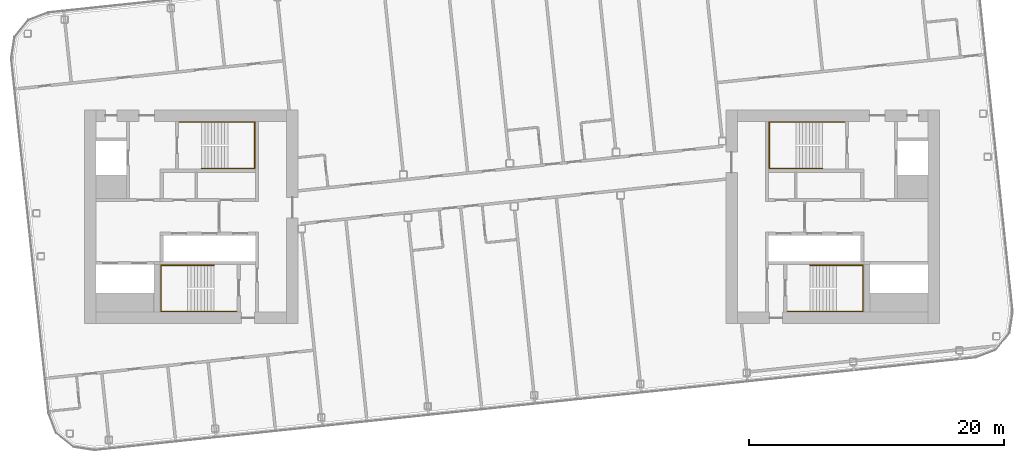
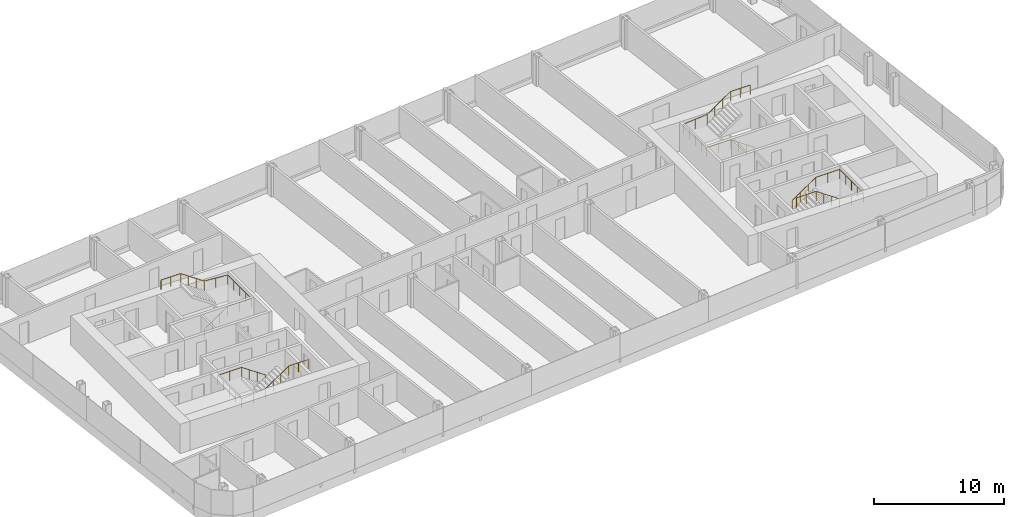
# One storey, part 27 of 27: 4 railings.
"""IFC4 building model written with IfcOpenShell, lengths in metres."""

from ifc_helpers import new_model, si_unit, direction, frame, origin, origin_2d, place, context, subcontext, project, spatial, circle, extrude, material, type_object, element, save


model = new_model("IFC4")

# Units and contexts
model_context = context("Model", 3, precision=1e-05, world=origin(), true_north=direction((0.0, 1.0)))
body_context = subcontext(model_context, "Body", "Model", "MODEL_VIEW")
ifc_project = project(units=[si_unit("LENGTHUNIT", "METRE"), si_unit("AREAUNIT", "SQUARE_METRE"), si_unit("VOLUMEUNIT", "CUBIC_METRE"), si_unit("PLANEANGLEUNIT", "RADIAN"), si_unit("MASSUNIT", "GRAM", prefix="KILO")], contexts=[model_context])

# Site, building, storey
site_placement = place(None, origin())
site = spatial("IfcSite", under=ifc_project, at=site_placement, CompositionType="ELEMENT")
building_placement = place(site_placement, origin())
building = spatial("IfcBuilding", under=site, at=building_placement, Name="Hakoniwa Tower and Hamabe Station Hall", CompositionType="ELEMENT")
storey_placement = place(building_placement, frame((0.0, 0.0, 255.0)))
storey = spatial("IfcBuildingStorey", under=building, at=storey_placement, Name="L72", CompositionType="ELEMENT", Elevation=255.0)

# Railings
ifc_material = material(Name="Stainless steel SUS304", Category="steel")
railing_type = type_object("IfcRailingType", Name="STAIR HANDRAIL 900", PredefinedType="HANDRAIL", material=ifc_material)
railing_1_placement = place(storey_placement, frame((-24.39990234375, 3.81005859375, 0.177734375)))
element("IfcRailing", 1, at=railing_1_placement, inside=storey, type_object=railing_type, Name="Handrail ST-1 L72 1", PredefinedType="HANDRAIL", context=body_context, shape_type="SweptSolid", body=[
    extrude(circle(Radius=0.02392578125, at=origin_2d()), frame((0.0, 0.0, 0.8759765625), z_axis=(0.825433201882, 0.0, 0.564499804456), x_axis=(0.0, 1.0, 0.0)), (0.0, 0.0, 1.0), 2.519775390625),
    extrude(circle(Radius=0.02392578125, at=origin_2d()), frame((2.079833984375, 0.0, 2.29833984375), z_axis=(1.0, 0.0, 0.0), x_axis=(0.0, 1.0, 0.0)), (0.0, 0.0, 1.0), 2.110107421875),
    extrude(circle(Radius=0.02392578125, at=origin_2d()), frame((4.18994140625, 0.0, 2.29833984375), z_axis=(0.0, 1.0, 0.0), x_axis=(-1.0, 0.0, 0.0)), (0.0, 0.0, 1.0), 3.6298828125),
    extrude(circle(Radius=0.02392578125, at=origin_2d()), frame((4.18994140625, 3.6298828125, 2.29833984375), z_axis=(-0.996471417081, 0.0, 0.083932800143), x_axis=(0.0, -1.0, 0.0)), (0.0, 0.0, 1.0), 2.11767578125),
    extrude(circle(Radius=0.02392578125, at=origin_2d()), frame((2.079833984375, 3.6298828125, 2.47607421875), z_axis=(-0.825478349766, 0.0, 0.564433781827), x_axis=(0.0, -1.0, 0.0)), (0.0, 0.0, 1.0), 2.51953125),
    extrude(circle(Radius=0.02392578125, at=origin_2d()), frame((0.0, 3.6298828125, 3.89794921875), z_axis=(-1.0, 0.0, 0.0), x_axis=(0.0, -1.0, 0.0)), (0.0, 0.0, 1.0), 1.739990234375),
    extrude(circle(Radius=0.02099609375, at=origin_2d()), origin(), (0.0, 0.0, 1.0), 0.851806640625),
    extrude(circle(Radius=0.02099609375, at=origin_2d()), frame((0.693359375, 0.0, 0.47412109375)), (0.0, 0.0, 1.0), 0.851806640625),
    extrude(circle(Radius=0.02099609375, at=origin_2d()), frame((1.386474609375, 0.0, 0.9482421875)), (0.0, 0.0, 1.0), 0.851806640625),
    extrude(circle(Radius=0.02099609375, at=origin_2d()), frame((2.079833984375, 0.0, 1.42236328125)), (0.0, 0.0, 1.0), 0.851806640625),
    extrude(circle(Radius=0.02099609375, at=origin_2d()), frame((3.134765625, 0.0, 1.42236328125)), (0.0, 0.0, 1.0), 0.851806640625),
    extrude(circle(Radius=0.02099609375, at=origin_2d()), frame((4.18994140625, 0.0, 1.42236328125)), (0.0, 0.0, 1.0), 0.851806640625),
    extrude(circle(Radius=0.02099609375, at=origin_2d()), frame((4.18994140625, 0.907470703125, 1.42236328125)), (0.0, 0.0, 1.0), 0.851806640625),
    extrude(circle(Radius=0.02099609375, at=origin_2d()), frame((4.18994140625, 1.81494140625, 1.42236328125)), (0.0, 0.0, 1.0), 0.851806640625),
    extrude(circle(Radius=0.02099609375, at=origin_2d()), frame((4.18994140625, 2.722412109375, 1.42236328125)), (0.0, 0.0, 1.0), 0.851806640625),
    extrude(circle(Radius=0.02099609375, at=origin_2d()), frame((4.18994140625, 3.6298828125, 1.42236328125)), (0.0, 0.0, 1.0), 0.851806640625),
    extrude(circle(Radius=0.02099609375, at=origin_2d()), frame((3.134765625, 3.6298828125, 1.51123046875)), (0.0, 0.0, 1.0), 0.851806640625),
    extrude(circle(Radius=0.02099609375, at=origin_2d()), frame((2.079833984375, 3.6298828125, 1.60009765625)), (0.0, 0.0, 1.0), 0.851806640625),
    extrude(circle(Radius=0.02099609375, at=origin_2d()), frame((1.386474609375, 3.6298828125, 2.07421875)), (0.0, 0.0, 1.0), 0.851806640625),
    extrude(circle(Radius=0.02099609375, at=origin_2d()), frame((0.693359375, 3.6298828125, 2.548095703125)), (0.0, 0.0, 1.0), 0.851806640625),
    extrude(circle(Radius=0.02099609375, at=origin_2d()), frame((0.0, 3.6298828125, 3.022216796875)), (0.0, 0.0, 1.0), 0.851806640625),
    extrude(circle(Radius=0.02099609375, at=origin_2d()), frame((-0.8701171875, 3.6298828125, 3.022216796875)), (0.0, 0.0, 1.0), 0.851806640625),
    extrude(circle(Radius=0.02099609375, at=origin_2d()), frame((-1.739990234375, 3.6298828125, 3.022216796875)), (0.0, 0.0, 1.0), 0.851806640625),
])
railing_2_placement = place(storey_placement, frame((-23.39990234375, -3.81005859375, 0.177734375)))
element("IfcRailing", 2, at=railing_2_placement, inside=storey, type_object=railing_type, Name="Handrail ST-2 L72 1", PredefinedType="HANDRAIL", context=body_context, shape_type="SweptSolid", body=[
    extrude(circle(Radius=0.02392578125, at=origin_2d()), frame((0.0, 0.0, 0.8759765625), z_axis=(-0.825464074169, 0.0, 0.564454659168), x_axis=(0.0, -1.0, 0.0)), (0.0, 0.0, 1.0), 2.519775390625),
    extrude(circle(Radius=0.02392578125, at=origin_2d()), frame((-2.080078125, 0.0, 2.29833984375), z_axis=(-1.0, 0.0, 0.0), x_axis=(0.0, -1.0, 0.0)), (0.0, 0.0, 1.0), 2.110107421875),
    extrude(circle(Radius=0.02392578125, at=origin_2d()), frame((-4.190185546875, 0.0, 2.29833984375), z_axis=(0.0, -1.0, 0.0), x_axis=(1.0, 0.0, 0.0)), (0.0, 0.0, 1.0), 3.6298828125),
    extrude(circle(Radius=0.02392578125, at=origin_2d()), frame((-4.190185546875, -3.6298828125, 2.29833984375), z_axis=(0.996471417081, 0.0, 0.083932800143), x_axis=(0.0, 1.0, 0.0)), (0.0, 0.0, 1.0), 2.11767578125),
    extrude(circle(Radius=0.02392578125, at=origin_2d()), frame((-2.080078125, -3.6298828125, 2.47607421875), z_axis=(0.82550921652, 0.0, 0.564388636881), x_axis=(0.0, 1.0, 0.0)), (0.0, 0.0, 1.0), 2.519775390625),
    extrude(circle(Radius=0.02392578125, at=origin_2d()), frame((0.0, -3.6298828125, 3.89794921875), z_axis=(1.0, 0.0, 0.0), x_axis=(0.0, 1.0, 0.0)), (0.0, 0.0, 1.0), 1.739990234375),
    extrude(circle(Radius=0.02099609375, at=origin_2d()), origin(), (0.0, 0.0, 1.0), 0.851806640625),
    extrude(circle(Radius=0.02099609375, at=origin_2d()), frame((-0.693359375, 0.0, 0.47412109375)), (0.0, 0.0, 1.0), 0.851806640625),
    extrude(circle(Radius=0.02099609375, at=origin_2d()), frame((-1.38671875, 0.0, 0.9482421875)), (0.0, 0.0, 1.0), 0.851806640625),
    extrude(circle(Radius=0.02099609375, at=origin_2d()), frame((-2.080078125, 0.0, 1.42236328125)), (0.0, 0.0, 1.0), 0.851806640625),
    extrude(circle(Radius=0.02099609375, at=origin_2d()), frame((-3.13525390625, 0.0, 1.42236328125)), (0.0, 0.0, 1.0), 0.851806640625),
    extrude(circle(Radius=0.02099609375, at=origin_2d()), frame((-4.190185546875, 0.0, 1.42236328125)), (0.0, 0.0, 1.0), 0.851806640625),
    extrude(circle(Radius=0.02099609375, at=origin_2d()), frame((-4.190185546875, -0.907470703125, 1.42236328125)), (0.0, 0.0, 1.0), 0.851806640625),
    extrude(circle(Radius=0.02099609375, at=origin_2d()), frame((-4.190185546875, -1.81494140625, 1.42236328125)), (0.0, 0.0, 1.0), 0.851806640625),
    extrude(circle(Radius=0.02099609375, at=origin_2d()), frame((-4.190185546875, -2.722412109375, 1.42236328125)), (0.0, 0.0, 1.0), 0.851806640625),
    extrude(circle(Radius=0.02099609375, at=origin_2d()), frame((-4.190185546875, -3.6298828125, 1.42236328125)), (0.0, 0.0, 1.0), 0.851806640625),
    extrude(circle(Radius=0.02099609375, at=origin_2d()), frame((-3.13525390625, -3.6298828125, 1.51123046875)), (0.0, 0.0, 1.0), 0.851806640625),
    extrude(circle(Radius=0.02099609375, at=origin_2d()), frame((-2.080078125, -3.6298828125, 1.60009765625)), (0.0, 0.0, 1.0), 0.851806640625),
    extrude(circle(Radius=0.02099609375, at=origin_2d()), frame((-1.38671875, -3.6298828125, 2.07421875)), (0.0, 0.0, 1.0), 0.851806640625),
    extrude(circle(Radius=0.02099609375, at=origin_2d()), frame((-0.693359375, -3.6298828125, 2.548095703125)), (0.0, 0.0, 1.0), 0.851806640625),
    extrude(circle(Radius=0.02099609375, at=origin_2d()), frame((0.0, -3.6298828125, 3.022216796875)), (0.0, 0.0, 1.0), 0.851806640625),
    extrude(circle(Radius=0.02099609375, at=origin_2d()), frame((0.8701171875, -3.6298828125, 3.022216796875)), (0.0, 0.0, 1.0), 0.851806640625),
    extrude(circle(Radius=0.02099609375, at=origin_2d()), frame((1.739990234375, -3.6298828125, 3.022216796875)), (0.0, 0.0, 1.0), 0.851806640625),
])
railing_3_placement = place(storey_placement, frame((24.39990234375, 3.81005859375, 0.177734375)))
element("IfcRailing", 3, at=railing_3_placement, inside=storey, type_object=railing_type, Name="Handrail ST-3 L72 1", PredefinedType="HANDRAIL", context=body_context, shape_type="SweptSolid", body=[
    extrude(circle(Radius=0.02392578125, at=origin_2d()), frame((0.0, 0.0, 0.8759765625), z_axis=(-0.825433201882, 0.0, 0.564499804456), x_axis=(0.0, -1.0, 0.0)), (0.0, 0.0, 1.0), 2.519775390625),
    extrude(circle(Radius=0.02392578125, at=origin_2d()), frame((-2.079833984375, 0.0, 2.29833984375), z_axis=(-1.0, 0.0, 0.0), x_axis=(0.0, -1.0, 0.0)), (0.0, 0.0, 1.0), 2.110107421875),
    extrude(circle(Radius=0.02392578125, at=origin_2d()), frame((-4.18994140625, 0.0, 2.29833984375), z_axis=(0.0, 1.0, 0.0), x_axis=(-1.0, 0.0, 0.0)), (0.0, 0.0, 1.0), 3.6298828125),
    extrude(circle(Radius=0.02392578125, at=origin_2d()), frame((-4.18994140625, 3.6298828125, 2.29833984375), z_axis=(0.996471417081, 0.0, 0.083932800143), x_axis=(0.0, 1.0, 0.0)), (0.0, 0.0, 1.0), 2.11767578125),
    extrude(circle(Radius=0.02392578125, at=origin_2d()), frame((-2.079833984375, 3.6298828125, 2.47607421875), z_axis=(0.825478349766, 0.0, 0.564433781827), x_axis=(0.0, 1.0, 0.0)), (0.0, 0.0, 1.0), 2.51953125),
    extrude(circle(Radius=0.02392578125, at=origin_2d()), frame((0.0, 3.6298828125, 3.89794921875), z_axis=(1.0, 0.0, 0.0), x_axis=(0.0, 1.0, 0.0)), (0.0, 0.0, 1.0), 1.739990234375),
    extrude(circle(Radius=0.02099609375, at=origin_2d()), origin(), (0.0, 0.0, 1.0), 0.851806640625),
    extrude(circle(Radius=0.02099609375, at=origin_2d()), frame((-0.693359375, 0.0, 0.47412109375)), (0.0, 0.0, 1.0), 0.851806640625),
    extrude(circle(Radius=0.02099609375, at=origin_2d()), frame((-1.386474609375, 0.0, 0.9482421875)), (0.0, 0.0, 1.0), 0.851806640625),
    extrude(circle(Radius=0.02099609375, at=origin_2d()), frame((-2.079833984375, 0.0, 1.42236328125)), (0.0, 0.0, 1.0), 0.851806640625),
    extrude(circle(Radius=0.02099609375, at=origin_2d()), frame((-3.134765625, 0.0, 1.42236328125)), (0.0, 0.0, 1.0), 0.851806640625),
    extrude(circle(Radius=0.02099609375, at=origin_2d()), frame((-4.18994140625, 0.0, 1.42236328125)), (0.0, 0.0, 1.0), 0.851806640625),
    extrude(circle(Radius=0.02099609375, at=origin_2d()), frame((-4.18994140625, 0.907470703125, 1.42236328125)), (0.0, 0.0, 1.0), 0.851806640625),
    extrude(circle(Radius=0.02099609375, at=origin_2d()), frame((-4.18994140625, 1.81494140625, 1.42236328125)), (0.0, 0.0, 1.0), 0.851806640625),
    extrude(circle(Radius=0.02099609375, at=origin_2d()), frame((-4.18994140625, 2.722412109375, 1.42236328125)), (0.0, 0.0, 1.0), 0.851806640625),
    extrude(circle(Radius=0.02099609375, at=origin_2d()), frame((-4.18994140625, 3.6298828125, 1.42236328125)), (0.0, 0.0, 1.0), 0.851806640625),
    extrude(circle(Radius=0.02099609375, at=origin_2d()), frame((-3.134765625, 3.6298828125, 1.51123046875)), (0.0, 0.0, 1.0), 0.851806640625),
    extrude(circle(Radius=0.02099609375, at=origin_2d()), frame((-2.079833984375, 3.6298828125, 1.60009765625)), (0.0, 0.0, 1.0), 0.851806640625),
    extrude(circle(Radius=0.02099609375, at=origin_2d()), frame((-1.386474609375, 3.6298828125, 2.07421875)), (0.0, 0.0, 1.0), 0.851806640625),
    extrude(circle(Radius=0.02099609375, at=origin_2d()), frame((-0.693359375, 3.6298828125, 2.548095703125)), (0.0, 0.0, 1.0), 0.851806640625),
    extrude(circle(Radius=0.02099609375, at=origin_2d()), frame((0.0, 3.6298828125, 3.022216796875)), (0.0, 0.0, 1.0), 0.851806640625),
    extrude(circle(Radius=0.02099609375, at=origin_2d()), frame((0.8701171875, 3.6298828125, 3.022216796875)), (0.0, 0.0, 1.0), 0.851806640625),
    extrude(circle(Radius=0.02099609375, at=origin_2d()), frame((1.739990234375, 3.6298828125, 3.022216796875)), (0.0, 0.0, 1.0), 0.851806640625),
])
railing_4_placement = place(storey_placement, frame((23.39990234375, -3.81005859375, 0.177734375)))
element("IfcRailing", 4, at=railing_4_placement, inside=storey, type_object=railing_type, Name="Handrail ST-4 L72 1", PredefinedType="HANDRAIL", context=body_context, shape_type="SweptSolid", body=[
    extrude(circle(Radius=0.02392578125, at=origin_2d()), frame((0.0, 0.0, 0.8759765625), z_axis=(0.825464074169, 0.0, 0.564454659168), x_axis=(0.0, 1.0, 0.0)), (0.0, 0.0, 1.0), 2.519775390625),
    extrude(circle(Radius=0.02392578125, at=origin_2d()), frame((2.080078125, 0.0, 2.29833984375), z_axis=(1.0, 0.0, 0.0), x_axis=(0.0, 1.0, 0.0)), (0.0, 0.0, 1.0), 2.110107421875),
    extrude(circle(Radius=0.02392578125, at=origin_2d()), frame((4.190185546875, 0.0, 2.29833984375), z_axis=(0.0, -1.0, 0.0), x_axis=(1.0, 0.0, 0.0)), (0.0, 0.0, 1.0), 3.6298828125),
    extrude(circle(Radius=0.02392578125, at=origin_2d()), frame((4.190185546875, -3.6298828125, 2.29833984375), z_axis=(-0.996471417081, 0.0, 0.083932800143), x_axis=(0.0, -1.0, 0.0)), (0.0, 0.0, 1.0), 2.11767578125),
    extrude(circle(Radius=0.02392578125, at=origin_2d()), frame((2.080078125, -3.6298828125, 2.47607421875), z_axis=(-0.82550921652, 0.0, 0.564388636881), x_axis=(0.0, -1.0, 0.0)), (0.0, 0.0, 1.0), 2.519775390625),
    extrude(circle(Radius=0.02392578125, at=origin_2d()), frame((0.0, -3.6298828125, 3.89794921875), z_axis=(-1.0, 0.0, 0.0), x_axis=(0.0, -1.0, 0.0)), (0.0, 0.0, 1.0), 1.739990234375),
    extrude(circle(Radius=0.02099609375, at=origin_2d()), origin(), (0.0, 0.0, 1.0), 0.851806640625),
    extrude(circle(Radius=0.02099609375, at=origin_2d()), frame((0.693359375, 0.0, 0.47412109375)), (0.0, 0.0, 1.0), 0.851806640625),
    extrude(circle(Radius=0.02099609375, at=origin_2d()), frame((1.38671875, 0.0, 0.9482421875)), (0.0, 0.0, 1.0), 0.851806640625),
    extrude(circle(Radius=0.02099609375, at=origin_2d()), frame((2.080078125, 0.0, 1.42236328125)), (0.0, 0.0, 1.0), 0.851806640625),
    extrude(circle(Radius=0.02099609375, at=origin_2d()), frame((3.13525390625, 0.0, 1.42236328125)), (0.0, 0.0, 1.0), 0.851806640625),
    extrude(circle(Radius=0.02099609375, at=origin_2d()), frame((4.190185546875, 0.0, 1.42236328125)), (0.0, 0.0, 1.0), 0.851806640625),
    extrude(circle(Radius=0.02099609375, at=origin_2d()), frame((4.190185546875, -0.907470703125, 1.42236328125)), (0.0, 0.0, 1.0), 0.851806640625),
    extrude(circle(Radius=0.02099609375, at=origin_2d()), frame((4.190185546875, -1.81494140625, 1.42236328125)), (0.0, 0.0, 1.0), 0.851806640625),
    extrude(circle(Radius=0.02099609375, at=origin_2d()), frame((4.190185546875, -2.722412109375, 1.42236328125)), (0.0, 0.0, 1.0), 0.851806640625),
    extrude(circle(Radius=0.02099609375, at=origin_2d()), frame((4.190185546875, -3.6298828125, 1.42236328125)), (0.0, 0.0, 1.0), 0.851806640625),
    extrude(circle(Radius=0.02099609375, at=origin_2d()), frame((3.13525390625, -3.6298828125, 1.51123046875)), (0.0, 0.0, 1.0), 0.851806640625),
    extrude(circle(Radius=0.02099609375, at=origin_2d()), frame((2.080078125, -3.6298828125, 1.60009765625)), (0.0, 0.0, 1.0), 0.851806640625),
    extrude(circle(Radius=0.02099609375, at=origin_2d()), frame((1.38671875, -3.6298828125, 2.07421875)), (0.0, 0.0, 1.0), 0.851806640625),
    extrude(circle(Radius=0.02099609375, at=origin_2d()), frame((0.693359375, -3.6298828125, 2.548095703125)), (0.0, 0.0, 1.0), 0.851806640625),
    extrude(circle(Radius=0.02099609375, at=origin_2d()), frame((0.0, -3.6298828125, 3.022216796875)), (0.0, 0.0, 1.0), 0.851806640625),
    extrude(circle(Radius=0.02099609375, at=origin_2d()), frame((-0.8701171875, -3.6298828125, 3.022216796875)), (0.0, 0.0, 1.0), 0.851806640625),
    extrude(circle(Radius=0.02099609375, at=origin_2d()), frame((-1.739990234375, -3.6298828125, 3.022216796875)), (0.0, 0.0, 1.0), 0.851806640625),
])

save(model, "model.ifc")
